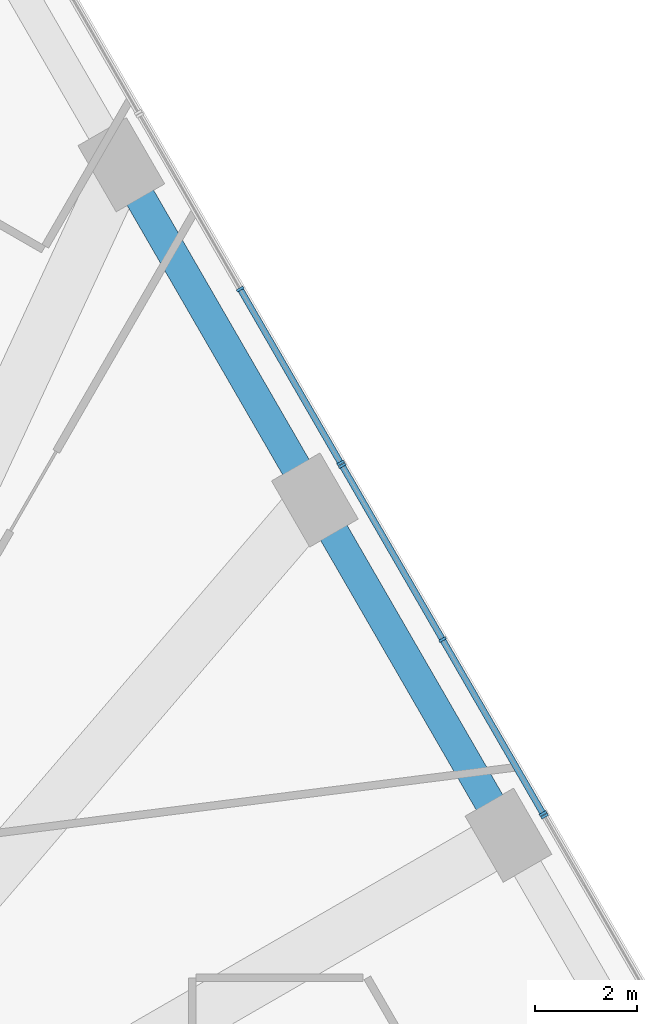
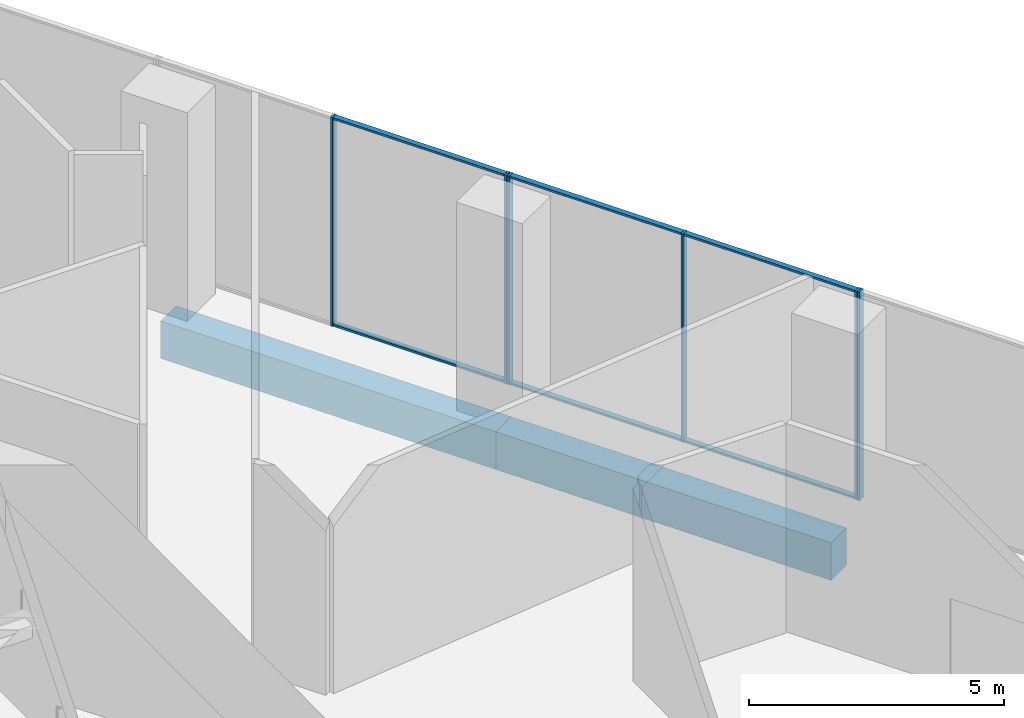
# One storey, part 14 of 29: 12 members, 2 beams, 3 elements without a shape of their own.
"""IFC4 building model written with IfcOpenShell, lengths in metres."""

from ifc_helpers import new_model, si_unit, direction, frame, origin, origin_2d, place, context, subcontext, project, spatial, rectangle, extrude, material, layer, layer_set, material_profile, profile_set, type_object, element, aggregate, save


model = new_model("IFC4")

# Units and contexts
model_context = context("Model", 3, precision=1e-05, world=origin(), true_north=direction((0.0, 1.0)))
body_context = subcontext(model_context, "Body", "Model", "MODEL_VIEW")
ifc_project = project(units=[si_unit("LENGTHUNIT", "METRE"), si_unit("AREAUNIT", "SQUARE_METRE"), si_unit("VOLUMEUNIT", "CUBIC_METRE"), si_unit("PLANEANGLEUNIT", "RADIAN"), si_unit("MASSUNIT", "GRAM", prefix="KILO")], contexts=[model_context])

# Site, building, storey
site_placement = place(None, origin())
site = spatial("IfcSite", under=ifc_project, at=site_placement, CompositionType="ELEMENT")
building_placement = place(site_placement, origin())
building = spatial("IfcBuilding", under=site, at=building_placement, Name="Triada Interchange Tower", CompositionType="ELEMENT")
storey_placement = place(building_placement, frame((0.0, 0.0, 19.89990234375)))
storey = spatial("IfcBuildingStorey", under=building, at=storey_placement, Name="L03", CompositionType="ELEMENT", Elevation=19.89990234375)

# Curtain wall, member
ifc_material_1 = material(Name="Aluminium framed glazing", Category="aluminium")
ifc_layer = layer(ifc_material_1, 0.199951171875)
ifc_layer_set = layer_set([ifc_layer], Name="Curtain wall Retail shopfront")
curtain_wall_type = type_object("IfcCurtainWallType", Name="Curtain wall Retail shopfront", PredefinedType="NOTDEFINED", material=ifc_layer_set)
curtain_wall_1_placement = place(storey_placement, origin())
curtain_wall_1 = element("IfcCurtainWall", 1, at=curtain_wall_1_placement, inside=storey, type_object=curtain_wall_type, Name="Retail shopfront CW016 L03", PredefinedType="NOTDEFINED")
ifc_material_2 = material(Name="Aluminium", Category="aluminium")
ifc_material_profile_1 = material_profile(ifc_material_2, rectangle(XDim=0.14990234375, YDim=0.050048828125, at=origin_2d()), Name="Aluminium mullion")
ifc_profile_set_1 = profile_set([ifc_material_profile_1], Name="Aluminium")
member_type_1 = type_object("IfcMemberType", Name="Mullion Retail shopfront 150x50", PredefinedType="MULLION", material=ifc_profile_set_1)
member_1_placement = place(storey_placement, frame((19.41455078125, 11.17431640625, 0.0), z_axis=(0.0, 0.0, 1.0), x_axis=(-0.866086968603, -0.499893351442, 0.0)))
member_1 = element("IfcMember", 2, at=member_1_placement, type_object=member_type_1, Name="CW016 mullion 3", PredefinedType="MULLION", context=body_context, shape_type="SweptSolid", body=[
    extrude(rectangle(XDim=0.14990234375, YDim=0.050048828125, at=origin_2d()), origin(), (0.0, 0.0, 1.0), 5.0),
])
aggregate(curtain_wall_1, [member_1])

# Curtain wall, members
curtain_wall_2_placement = place(storey_placement, origin())
curtain_wall_2 = element("IfcCurtainWall", 3, at=curtain_wall_2_placement, inside=storey, type_object=curtain_wall_type, Name="Retail shopfront CW017 L03", PredefinedType="NOTDEFINED")
member_2_placement = place(storey_placement, frame((19.383544921875, 11.2255859375, 0.0), z_axis=(0.0, 0.0, 1.0), x_axis=(-0.866086968603, -0.499893351442, 0.0)))
member_2 = element("IfcMember", 4, at=member_2_placement, type_object=member_type_1, Name="CW017 mullion 1", PredefinedType="MULLION", context=body_context, shape_type="SweptSolid", body=[
    extrude(rectangle(XDim=0.14990234375, YDim=0.050048828125, at=origin_2d()), origin(), (0.0, 0.0, 1.0), 5.0),
])
member_3_placement = place(storey_placement, frame((17.41259765625, 14.640380859375, 0.0), z_axis=(0.0, 0.0, 1.0), x_axis=(-0.866086968603, -0.499893351442, 0.0)))
member_3 = element("IfcMember", 5, at=member_3_placement, type_object=member_type_1, Name="CW017 mullion 2", PredefinedType="MULLION", context=body_context, shape_type="SweptSolid", body=[
    extrude(rectangle(XDim=0.14990234375, YDim=0.050048828125, at=origin_2d()), origin(), (0.0, 0.0, 1.0), 5.0),
])
member_4_placement = place(storey_placement, frame((15.44140625, 18.055419921875, 0.0), z_axis=(0.0, 0.0, 1.0), x_axis=(-0.866086968603, -0.499893351442, 0.0)))
member_4 = element("IfcMember", 6, at=member_4_placement, type_object=member_type_1, Name="CW017 mullion 3", PredefinedType="MULLION", context=body_context, shape_type="SweptSolid", body=[
    extrude(rectangle(XDim=0.14990234375, YDim=0.050048828125, at=origin_2d()), origin(), (0.0, 0.0, 1.0), 5.0),
])

curtain_wall_3_placement = place(storey_placement, origin())
curtain_wall_3 = element("IfcCurtainWall", 7, at=curtain_wall_3_placement, inside=storey, type_object=curtain_wall_type, Name="Retail shopfront CW018 L03", PredefinedType="NOTDEFINED")
member_5_placement = place(storey_placement, frame((15.410400390625, 18.107666015625, 0.0), z_axis=(0.0, 0.0, 1.0), x_axis=(-0.866055473648, -0.499947913852, 0.0)))
member_5 = element("IfcMember", 8, at=member_5_placement, type_object=member_type_1, Name="CW018 mullion 1", PredefinedType="MULLION", context=body_context, shape_type="SweptSolid", body=[
    extrude(rectangle(XDim=0.14990234375, YDim=0.050048828125, at=origin_2d()), origin(), (0.0, 0.0, 1.0), 5.0),
])
member_6_placement = place(storey_placement, frame((13.439453125, 21.52197265625, 0.0), z_axis=(0.0, 0.0, 1.0), x_axis=(-0.866055473648, -0.499947913852, 0.0)))
member_6 = element("IfcMember", 9, at=member_6_placement, type_object=member_type_1, Name="CW018 mullion 2", PredefinedType="MULLION", context=body_context, shape_type="SweptSolid", body=[
    extrude(rectangle(XDim=0.14990234375, YDim=0.050048828125, at=origin_2d()), origin(), (0.0, 0.0, 1.0), 5.0),
])

# Beams
ifc_material_3 = material(Name="Concrete C50/60", Category="concrete")
ifc_material_profile_2 = material_profile(ifc_material_3, rectangle(XDim=0.60009765625, YDim=0.89990234375, at=origin_2d()), Name="RC 600x900")
ifc_profile_set_2 = profile_set([ifc_material_profile_2], Name="Concrete C50/60")
beam_type = type_object("IfcBeamType", Name="Spandrel beam P RC 600x900", PredefinedType="BEAM", material=ifc_profile_set_2)
beam_1_placement = place(storey_placement, frame((18.7060546875, 10.800048828125, -0.849853515625), z_axis=(-0.500046891162, 0.865998329467, 0.0), x_axis=(-0.865998329467, -0.500046891162, 0.0)))
element("IfcBeam", 10, at=beam_1_placement, inside=storey, type_object=beam_type, Name="Spandrel beam EP25 L03", PredefinedType="BEAM", context=body_context, shape_type="SweptSolid", body=[
    extrude(rectangle(XDim=0.60009765625, YDim=0.89990234375, at=origin_2d()), origin(), (0.0, 0.0, 1.0), 7.599365234375),
])
beam_2_placement = place(storey_placement, frame((14.906005859375, 17.381103515625, -0.849853515625), z_axis=(-0.500060803479, 0.865990296034, 0.0), x_axis=(-0.865990296034, -0.500060803479, 0.0)))
element("IfcBeam", 11, at=beam_2_placement, inside=storey, type_object=beam_type, Name="Spandrel beam EP26 L03", PredefinedType="BEAM", context=body_context, shape_type="SweptSolid", body=[
    extrude(rectangle(XDim=0.60009765625, YDim=0.89990234375, at=origin_2d()), origin(), (0.0, 0.0, 1.0), 7.59912109375),
])

# Member
ifc_material_profile_3 = material_profile(ifc_material_2, rectangle(XDim=0.1201171875, YDim=0.050048828125, at=origin_2d()), Name="Aluminium transom")
ifc_profile_set_3 = profile_set([ifc_material_profile_3], Name="Aluminium")
member_type_2 = type_object("IfcMemberType", Name="Transom Retail shopfront 120x50", PredefinedType="USERDEFINED", material=ifc_profile_set_3)
member_7_placement = place(storey_placement, frame((19.37109375, 11.247314453125, 0.025146484375), z_axis=(-0.499896178229, 0.866085337015, 0.0), x_axis=(-0.866085337015, -0.499896178229, 0.0)))
member_7 = element("IfcMember", 12, at=member_7_placement, type_object=member_type_2, Name="CW017 transom 1.1", ObjectType="TRANSOM", PredefinedType="USERDEFINED", context=body_context, shape_type="SweptSolid", body=[
    extrude(rectangle(XDim=0.1201171875, YDim=0.050048828125, at=origin_2d()), origin(), (0.0, 0.0, 1.0), 3.892822265625),
])

member_8_placement = place(storey_placement, frame((19.37109375, 11.247314453125, 4.97509765625), z_axis=(-0.499896178229, 0.866085337015, 0.0), x_axis=(-0.866085337015, -0.499896178229, 0.0)))
member_8 = element("IfcMember", 13, at=member_8_placement, type_object=member_type_2, Name="CW017 transom 1.2", ObjectType="TRANSOM", PredefinedType="USERDEFINED", context=body_context, shape_type="SweptSolid", body=[
    extrude(rectangle(XDim=0.1201171875, YDim=0.050048828125, at=origin_2d()), origin(), (0.0, 0.0, 1.0), 3.892822265625),
])

member_9_placement = place(storey_placement, frame((17.39990234375, 14.662109375, 0.025146484375), z_axis=(-0.499849133735, 0.866112488944, 0.0), x_axis=(-0.866112488944, -0.499849133735, 0.0)))
member_9 = element("IfcMember", 14, at=member_9_placement, type_object=member_type_2, Name="CW017 transom 2.1", ObjectType="TRANSOM", PredefinedType="USERDEFINED", context=body_context, shape_type="SweptSolid", body=[
    extrude(rectangle(XDim=0.1201171875, YDim=0.050048828125, at=origin_2d()), origin(), (0.0, 0.0, 1.0), 3.892822265625),
])

member_10_placement = place(storey_placement, frame((17.39990234375, 14.662109375, 4.97509765625), z_axis=(-0.499849133735, 0.866112488944, 0.0), x_axis=(-0.866112488944, -0.499849133735, 0.0)))
member_10 = element("IfcMember", 15, at=member_10_placement, type_object=member_type_2, Name="CW017 transom 2.2", ObjectType="TRANSOM", PredefinedType="USERDEFINED", context=body_context, shape_type="SweptSolid", body=[
    extrude(rectangle(XDim=0.1201171875, YDim=0.050048828125, at=origin_2d()), origin(), (0.0, 0.0, 1.0), 3.892822265625),
])

aggregate(curtain_wall_2, [member_2, member_3, member_4, member_7, member_8, member_9, member_10])

member_11_placement = place(storey_placement, frame((15.39794921875, 18.12939453125, 0.025146484375), z_axis=(-0.499977646359, 0.866038309281, 0.0), x_axis=(-0.866038309281, -0.499977646359, 0.0)))
member_11 = element("IfcMember", 16, at=member_11_placement, type_object=member_type_2, Name="CW018 transom 1.1", ObjectType="TRANSOM", PredefinedType="USERDEFINED", context=body_context, shape_type="SweptSolid", body=[
    extrude(rectangle(XDim=0.1201171875, YDim=0.050048828125, at=origin_2d()), origin(), (0.0, 0.0, 1.0), 3.892333984375),
])

member_12_placement = place(storey_placement, frame((15.39794921875, 18.12939453125, 4.97509765625), z_axis=(-0.499977646359, 0.866038309281, 0.0), x_axis=(-0.866038309281, -0.499977646359, 0.0)))
member_12 = element("IfcMember", 17, at=member_12_placement, type_object=member_type_2, Name="CW018 transom 1.2", ObjectType="TRANSOM", PredefinedType="USERDEFINED", context=body_context, shape_type="SweptSolid", body=[
    extrude(rectangle(XDim=0.1201171875, YDim=0.050048828125, at=origin_2d()), origin(), (0.0, 0.0, 1.0), 3.892333984375),
])

aggregate(curtain_wall_3, [member_5, member_6, member_11, member_12])

save(model, "model.ifc")
